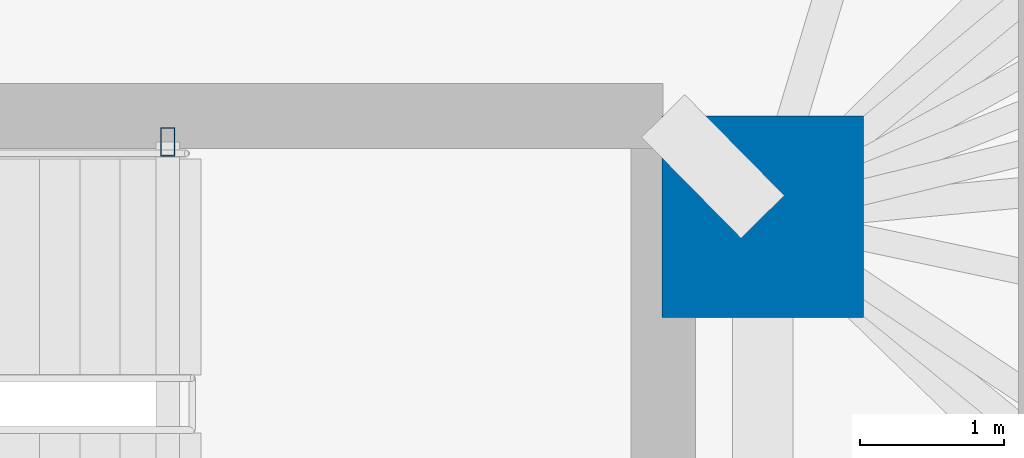
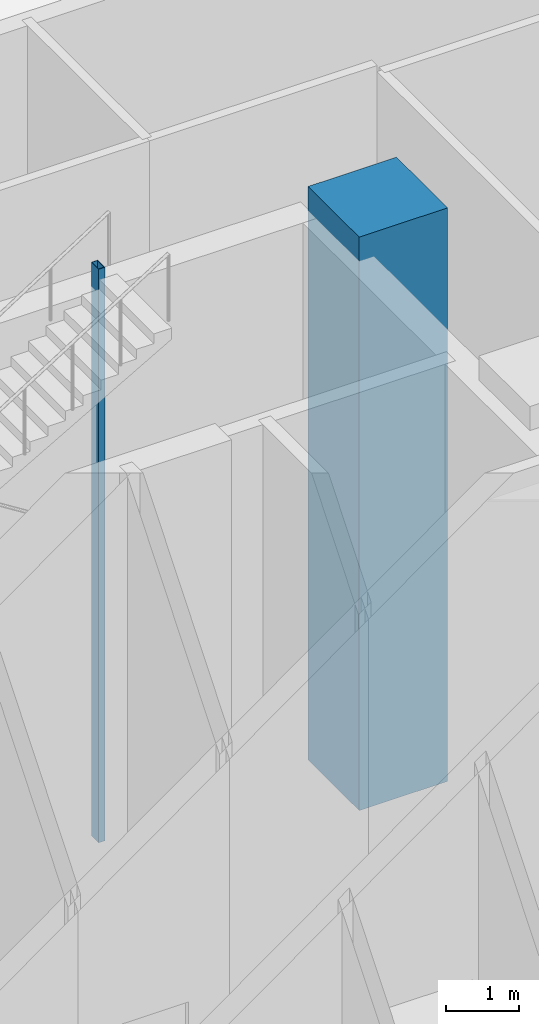
# One storey, part 7 of 24: 2 columns.
"""IFC4 building model written with IfcOpenShell, lengths in metres."""

import ifcopenshell
import ifcopenshell.guid

model = None  # the IFC model being written
_history = None  # IfcOwnerHistory: only IFC2X3 demands one
_inside = {}  # id of a spatial element -> (the spatial element, [elements in it])
_under = {}  # id of a project, library or spatial element -> (it, [spatial elements below it])
_declared = {}  # id of a project -> (the project, [libraries it declares])
_typed = {}  # id of a type object -> (the type object, [elements of that type])
_made_of = {}  # id of a material, layer set ... -> (it, [elements and type objects made of it])


def new_model(schema):
    """Start an empty IFC model of exactly this schema.

    Asked for "IFC4X3", IfcOpenShell would pick the latest addendum, in which some entities
    have other attributes; the version numbers below select the first issue.
    IFC2X3 requires an IfcOwnerHistory on every rooted entity: one is made here for all.
    """
    global model, _history
    if schema == "IFC4X3":
        model = ifcopenshell.file(schema_version=(4, 3, 0, 0))
    else:
        model = ifcopenshell.file(schema=schema)
    _inside.clear()
    _under.clear()
    _declared.clear()
    _typed.clear()
    _made_of.clear()
    _history = None
    if model.schema == "IFC2X3":
        org = make("IfcOrganization", Name="unknown")
        user = make(
            "IfcPersonAndOrganization",
            ThePerson=make("IfcPerson", FamilyName="unknown"),
            TheOrganization=org,
        )
        app = make(
            "IfcApplication",
            ApplicationDeveloper=org,
            Version="unknown",
            ApplicationFullName="unknown",
            ApplicationIdentifier="unknown",
        )
        _history = make(
            "IfcOwnerHistory",
            OwningUser=user,
            OwningApplication=app,
            ChangeAction="ADDED",
            CreationDate=0,
        )
    return model


def make(cls, **values):
    """One entity of the class cls with the attributes given. An attribute that is None is left unset."""
    return model.create_entity(
        cls, **{name: value for name, value in values.items() if value is not None}
    )


def rooted(cls, **values):
    """An entity with a GlobalId (a new one), such as an element, a storey or a relation."""
    return make(cls, GlobalId=ifcopenshell.guid.new(), OwnerHistory=_history, **values)


def si_unit(unit_type, name, prefix=None):
    """IfcSIUnit, for example si_unit("LENGTHUNIT", "METRE", prefix="MILLI")."""
    return make("IfcSIUnit", UnitType=unit_type, Prefix=prefix, Name=name)


def assignment(units):
    """IfcUnitAssignment: the units of a project."""
    return None if units is None else make("IfcUnitAssignment", Units=units)


def point(xyz):
    """IfcCartesianPoint."""
    return None if xyz is None else make("IfcCartesianPoint", Coordinates=xyz)


def direction(xyz):
    """IfcDirection."""
    return None if xyz is None else make("IfcDirection", DirectionRatios=xyz)


def frame(location, z_axis=None, x_axis=None):
    """IfcAxis2Placement3D, a coordinate frame: its origin and axes. An axis left out is left unset."""
    return make(
        "IfcAxis2Placement3D",
        Location=point(location),
        Axis=direction(z_axis),
        RefDirection=direction(x_axis),
    )


def frame_2d(location, x_axis=None):
    """IfcAxis2Placement2D, a coordinate frame in the plane: its origin and x axis."""
    return make(
        "IfcAxis2Placement2D", Location=point(location), RefDirection=direction(x_axis)
    )


def origin():
    """The frame at (0, 0, 0) with its axes left unset."""
    return frame((0.0, 0.0, 0.0))


def origin_2d():
    """The frame at (0, 0) in the plane with its x axis left unset."""
    return frame_2d((0.0, 0.0))


def place(relative_to, where):
    """IfcLocalPlacement: puts the frame where relative to a parent placement (None: the world)."""
    return make(
        "IfcLocalPlacement", PlacementRelTo=relative_to, RelativePlacement=where
    )


def context(
    kind, dimensions, precision=None, world=None, true_north=None, identifier=None
):
    """IfcGeometricRepresentationContext, for example the 3D "Model" context."""
    return make(
        "IfcGeometricRepresentationContext",
        ContextIdentifier=identifier,
        ContextType=kind,
        CoordinateSpaceDimension=dimensions,
        Precision=precision,
        WorldCoordinateSystem=world,
        TrueNorth=true_north,
    )


def subcontext(parent, identifier, kind, view, scale=None):
    """IfcGeometricRepresentationSubContext, for example "Body" below "Model"."""
    return make(
        "IfcGeometricRepresentationSubContext",
        ContextIdentifier=identifier,
        ContextType=kind,
        ParentContext=parent,
        TargetScale=scale,
        TargetView=view,
    )


def project(units=None, contexts=None):
    """IfcProject with its units and contexts."""
    return rooted(
        "IfcProject",
        Name="project",
        RepresentationContexts=contexts,
        UnitsInContext=assignment(units),
    )


def spatial(cls, under=None, at=None, **own):
    """A site, building, storey or space (cls), placed at a placement, below another one or the project."""
    s = rooted(cls, ObjectPlacement=at, **own)
    if under is not None:
        _under.setdefault(under.id(), (under, []))[1].append(s)
    return s


def profile(cls, at=None, kind="AREA", **sizes):
    """A parametric profile (cls). Its sizes go by their IFC names, for example OverallWidth=200.0."""
    return make(cls, ProfileType=kind, Position=at, **sizes)


def rectangle(**sizes):
    """IfcRectangleProfileDef."""
    return profile("IfcRectangleProfileDef", **sizes)


def hollow_rectangle(**sizes):
    """IfcRectangleHollowProfileDef."""
    return profile("IfcRectangleHollowProfileDef", **sizes)


def extrude(swept, where, along, depth):
    """IfcExtrudedAreaSolid: the profile swept, set in the frame where, extruded along a direction by depth."""
    return make(
        "IfcExtrudedAreaSolid",
        SweptArea=swept,
        Position=where,
        ExtrudedDirection=direction(along),
        Depth=depth,
    )


def shape(context_of_items, identifier, shape_type, items):
    """IfcShapeRepresentation: the items that make up one representation, for example the "Body"."""
    return make(
        "IfcShapeRepresentation",
        ContextOfItems=context_of_items,
        RepresentationIdentifier=identifier,
        RepresentationType=shape_type,
        Items=items,
    )


def material(Name=None, Category=None):
    """IfcMaterial."""
    return make("IfcMaterial", Name=Name, Category=Category)


def material_profile(
    of_material, cross_section, Name=None, Category=None, Priority=None
):
    """IfcMaterialProfile: a cross section and its material."""
    return make(
        "IfcMaterialProfile",
        Name=Name,
        Material=of_material,
        Profile=cross_section,
        Priority=Priority,
        Category=Category,
    )


def profile_set(profiles, Name=None, composite=None):
    """IfcMaterialProfileSet."""
    return make(
        "IfcMaterialProfileSet",
        Name=Name,
        MaterialProfiles=profiles,
        CompositeProfile=composite,
    )


def made_of(thing, what):
    """Note that an element or type object is made of a material, layer set ...; save() writes the relation."""
    if what is not None:
        _made_of.setdefault(what.id(), (what, []))[1].append(thing)
    return thing


def type_object(cls, material=None, **own):
    """A type object (cls), such as IfcWallType, which elements share."""
    return made_of(rooted(cls, **own), material)


def element(
    cls,
    number,
    at=None,
    inside=None,
    cuts=None,
    type_object=None,
    material=None,
    context=None,
    identifier="Body",
    shape_type=None,
    held_by="IfcProductDefinitionShape",
    body=None,
    shapes=None,
    **own,
):
    """One element of the class cls, such as IfcWall. Its Tag is "e" and its number.

    at: its placement. inside: the storey or other place that contains it. cuts: it is an
    opening in that element (IfcRelVoidsElement). A single representation is given by context,
    identifier, shape_type and body (its items); several are given by shapes. held_by: the class
    of the entity that holds the representations. save() writes the other relations.
    """
    e = rooted(cls, Tag="e%d" % number, ObjectPlacement=at, **own)
    if body is not None:
        shapes = [shape(context, identifier, shape_type, body)]
    if shapes is not None:
        e.Representation = make(held_by, Representations=shapes)
    if inside is not None:
        _inside.setdefault(inside.id(), (inside, []))[1].append(e)
    if cuts is not None:
        rooted(
            "IfcRelVoidsElement", RelatingBuildingElement=cuts, RelatedOpeningElement=e
        )
    if type_object is not None:
        _typed.setdefault(type_object.id(), (type_object, []))[1].append(e)
    return made_of(e, material)


def aggregate(whole, parts):
    """IfcRelAggregates: a whole, such as a stair, and the parts it consists of."""
    return rooted("IfcRelAggregates", RelatingObject=whole, RelatedObjects=parts)


def save(model, path):
    """Write the relations noted so far, then the file.

    IfcRelAggregates (storeys below a building ...), IfcRelContainedInSpatialStructure (elements
    in a storey), IfcRelDefinesByType, IfcRelAssociatesMaterial and IfcRelDeclares: one each for
    every whole, place, type object, material and project.
    """
    for whole, parts in _under.values():
        aggregate(whole, parts)
    for where, things in _inside.values():
        rooted(
            "IfcRelContainedInSpatialStructure",
            RelatedElements=things,
            RelatingStructure=where,
        )
    for kind, things in _typed.values():
        rooted("IfcRelDefinesByType", RelatedObjects=things, RelatingType=kind)
    for what, things in _made_of.values():
        rooted("IfcRelAssociatesMaterial", RelatedObjects=things, RelatingMaterial=what)
    for by, libraries in _declared.values():
        rooted("IfcRelDeclares", RelatingContext=by, RelatedDefinitions=libraries)
    model.write(path)


model = new_model("IFC4")

# Units and contexts
model_context = context("Model", 3, precision=1e-05, world=origin(), true_north=direction((0.0, 1.0)))
body_context = subcontext(model_context, "Body", "Model", "MODEL_VIEW")
ifc_project = project(units=[si_unit("LENGTHUNIT", "METRE"), si_unit("AREAUNIT", "SQUARE_METRE"), si_unit("VOLUMEUNIT", "CUBIC_METRE"), si_unit("PLANEANGLEUNIT", "RADIAN"), si_unit("MASSUNIT", "GRAM", prefix="KILO")], contexts=[model_context])

# Site, building, storey
site_placement = place(None, origin())
site = spatial("IfcSite", under=ifc_project, at=site_placement, CompositionType="ELEMENT")
building_placement = place(site_placement, origin())
building = spatial("IfcBuilding", under=site, at=building_placement, Name="Menara Jurai Vektor", CompositionType="ELEMENT")
storey_placement = place(building_placement, origin())
storey = spatial("IfcBuildingStorey", under=building, at=storey_placement, Name="L00", CompositionType="ELEMENT", Elevation=0.0)

# Columns
ifc_material_1 = material(Name="Concrete C60/75", Category="concrete")
ifc_material_profile_1 = material_profile(ifc_material_1, rectangle(XDim=1.39990234375, YDim=1.39990234375, at=origin_2d()), Name="RC 1400x1400")
ifc_profile_set_1 = profile_set([ifc_material_profile_1], Name="Concrete C60/75")
column_type_1 = type_object("IfcColumnType", Name="STR-COL-RC1400", PredefinedType="COLUMN", material=ifc_profile_set_1)
column_1_placement = place(storey_placement, frame((15.25, 4.89990234375, 0.0), z_axis=(0.0, 0.0, 1.0), x_axis=(1.0, 0.0, 0.0)))
element("IfcColumn", 1, at=column_1_placement, inside=storey, type_object=column_type_1, Name="Core Spine Column CE-NE L00", PredefinedType="COLUMN", context=body_context, shape_type="SweptSolid", body=[
    extrude(rectangle(XDim=1.39990234375, YDim=1.39990234375, at=origin_2d()), origin(), (0.0, 0.0, 1.0), 9.60009765625),
])
ifc_material_2 = material(Name="Steel S355", Category="steel")
ifc_material_profile_2 = material_profile(ifc_material_2, hollow_rectangle(XDim=0.10009765625, YDim=0.199951171875, WallThickness=0.008056640625, at=origin_2d()), Name="RHS 200x100x8")
ifc_profile_set_2 = profile_set([ifc_material_profile_2], Name="Steel S355")
column_type_2 = type_object("IfcColumnType", Name="STR-COL-STAIR", PredefinedType="COLUMN", material=ifc_profile_set_2)
column_2_placement = place(storey_placement, frame((11.1201171875, 5.419921875, 0.0), z_axis=(0.0, 0.0, 1.0), x_axis=(1.0, 0.0, 0.0)))
element("IfcColumn", 2, at=column_2_placement, inside=storey, type_object=column_type_2, Name="Stair Well Header Column ST2-P2 L00", PredefinedType="COLUMN", context=body_context, shape_type="SweptSolid", body=[
    extrude(hollow_rectangle(XDim=0.10009765625, YDim=0.199951171875, WallThickness=0.008056640625, at=origin_2d()), origin(), (0.0, 0.0, 1.0), 9.60009765625),
])

save(model, "model.ifc")
